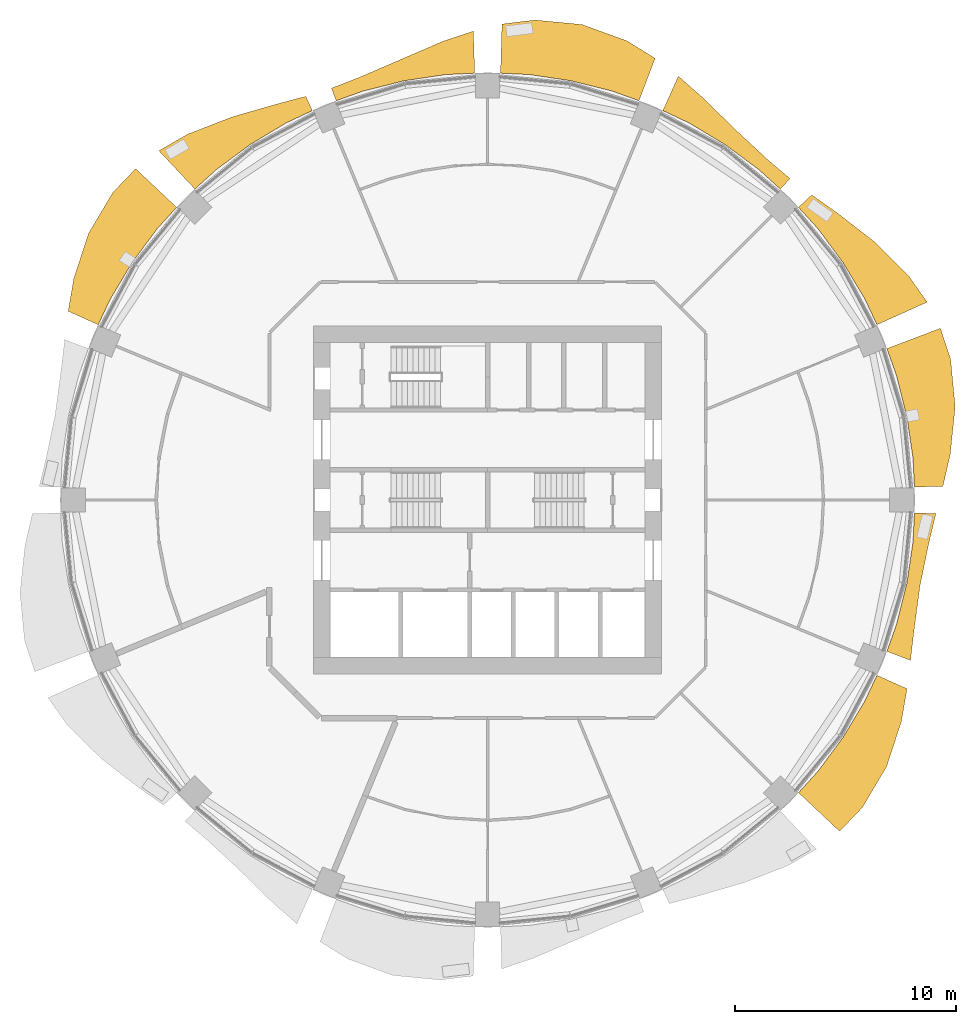
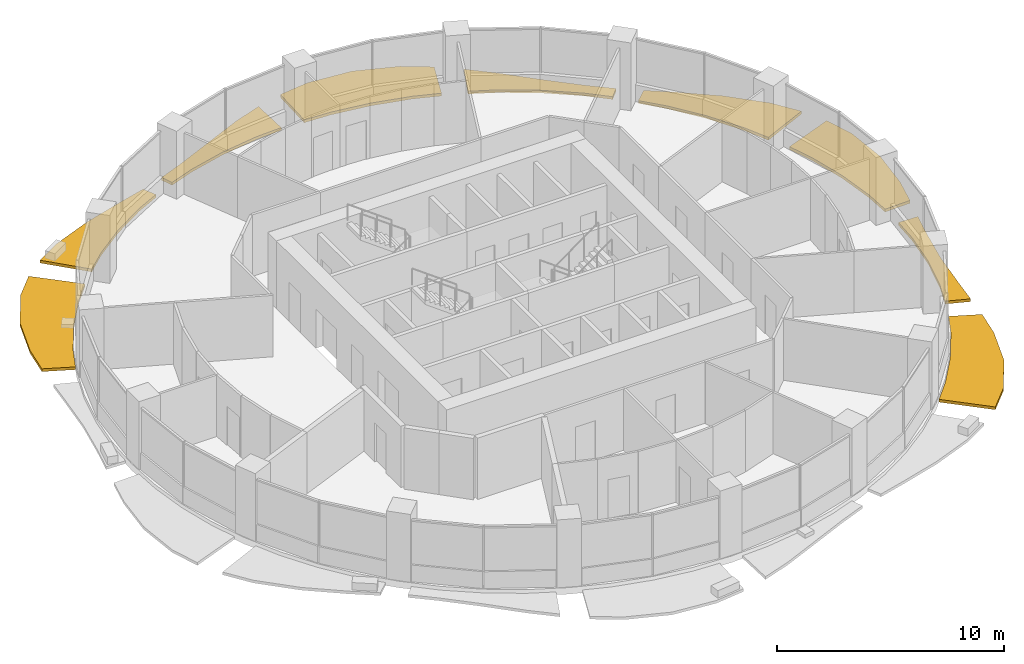
# One storey, part 14 of 15: 9 shading devices.
"""IFC4 building model written with IfcOpenShell, lengths in metres."""

import ifcopenshell
import ifcopenshell.guid

model = None  # the IFC model being written
_history = None  # IfcOwnerHistory: only IFC2X3 demands one
_inside = {}  # id of a spatial element -> (the spatial element, [elements in it])
_under = {}  # id of a project, library or spatial element -> (it, [spatial elements below it])
_declared = {}  # id of a project -> (the project, [libraries it declares])
_typed = {}  # id of a type object -> (the type object, [elements of that type])
_made_of = {}  # id of a material, layer set ... -> (it, [elements and type objects made of it])


def new_model(schema):
    """Start an empty IFC model of exactly this schema.

    Asked for "IFC4X3", IfcOpenShell would pick the latest addendum, in which some entities
    have other attributes; the version numbers below select the first issue.
    IFC2X3 requires an IfcOwnerHistory on every rooted entity: one is made here for all.
    """
    global model, _history
    if schema == "IFC4X3":
        model = ifcopenshell.file(schema_version=(4, 3, 0, 0))
    else:
        model = ifcopenshell.file(schema=schema)
    _inside.clear()
    _under.clear()
    _declared.clear()
    _typed.clear()
    _made_of.clear()
    _history = None
    if model.schema == "IFC2X3":
        org = make("IfcOrganization", Name="unknown")
        user = make(
            "IfcPersonAndOrganization",
            ThePerson=make("IfcPerson", FamilyName="unknown"),
            TheOrganization=org,
        )
        app = make(
            "IfcApplication",
            ApplicationDeveloper=org,
            Version="unknown",
            ApplicationFullName="unknown",
            ApplicationIdentifier="unknown",
        )
        _history = make(
            "IfcOwnerHistory",
            OwningUser=user,
            OwningApplication=app,
            ChangeAction="ADDED",
            CreationDate=0,
        )
    return model


def make(cls, **values):
    """One entity of the class cls with the attributes given. An attribute that is None is left unset."""
    return model.create_entity(
        cls, **{name: value for name, value in values.items() if value is not None}
    )


def rooted(cls, **values):
    """An entity with a GlobalId (a new one), such as an element, a storey or a relation."""
    return make(cls, GlobalId=ifcopenshell.guid.new(), OwnerHistory=_history, **values)


def si_unit(unit_type, name, prefix=None):
    """IfcSIUnit, for example si_unit("LENGTHUNIT", "METRE", prefix="MILLI")."""
    return make("IfcSIUnit", UnitType=unit_type, Prefix=prefix, Name=name)


def assignment(units):
    """IfcUnitAssignment: the units of a project."""
    return None if units is None else make("IfcUnitAssignment", Units=units)


def point(xyz):
    """IfcCartesianPoint."""
    return None if xyz is None else make("IfcCartesianPoint", Coordinates=xyz)


def direction(xyz):
    """IfcDirection."""
    return None if xyz is None else make("IfcDirection", DirectionRatios=xyz)


def frame(location, z_axis=None, x_axis=None):
    """IfcAxis2Placement3D, a coordinate frame: its origin and axes. An axis left out is left unset."""
    return make(
        "IfcAxis2Placement3D",
        Location=point(location),
        Axis=direction(z_axis),
        RefDirection=direction(x_axis),
    )


def origin():
    """The frame at (0, 0, 0) with its axes left unset."""
    return frame((0.0, 0.0, 0.0))


def place(relative_to, where):
    """IfcLocalPlacement: puts the frame where relative to a parent placement (None: the world)."""
    return make(
        "IfcLocalPlacement", PlacementRelTo=relative_to, RelativePlacement=where
    )


def context(
    kind, dimensions, precision=None, world=None, true_north=None, identifier=None
):
    """IfcGeometricRepresentationContext, for example the 3D "Model" context."""
    return make(
        "IfcGeometricRepresentationContext",
        ContextIdentifier=identifier,
        ContextType=kind,
        CoordinateSpaceDimension=dimensions,
        Precision=precision,
        WorldCoordinateSystem=world,
        TrueNorth=true_north,
    )


def subcontext(parent, identifier, kind, view, scale=None):
    """IfcGeometricRepresentationSubContext, for example "Body" below "Model"."""
    return make(
        "IfcGeometricRepresentationSubContext",
        ContextIdentifier=identifier,
        ContextType=kind,
        ParentContext=parent,
        TargetScale=scale,
        TargetView=view,
    )


def project(units=None, contexts=None):
    """IfcProject with its units and contexts."""
    return rooted(
        "IfcProject",
        Name="project",
        RepresentationContexts=contexts,
        UnitsInContext=assignment(units),
    )


def spatial(cls, under=None, at=None, **own):
    """A site, building, storey or space (cls), placed at a placement, below another one or the project."""
    s = rooted(cls, ObjectPlacement=at, **own)
    if under is not None:
        _under.setdefault(under.id(), (under, []))[1].append(s)
    return s


def polyline(points):
    """IfcPolyline through the points."""
    return make("IfcPolyline", Points=[point(p) for p in points])


def outline(outer, holes=None, kind="AREA"):
    """IfcArbitraryClosedProfileDef: a profile drawn as a closed curve; with holes, ...WithVoids."""
    if holes is None:
        return make("IfcArbitraryClosedProfileDef", ProfileType=kind, OuterCurve=outer)
    return make(
        "IfcArbitraryProfileDefWithVoids",
        ProfileType=kind,
        OuterCurve=outer,
        InnerCurves=holes,
    )


def extrude(swept, where, along, depth):
    """IfcExtrudedAreaSolid: the profile swept, set in the frame where, extruded along a direction by depth."""
    return make(
        "IfcExtrudedAreaSolid",
        SweptArea=swept,
        Position=where,
        ExtrudedDirection=direction(along),
        Depth=depth,
    )


def shape(context_of_items, identifier, shape_type, items):
    """IfcShapeRepresentation: the items that make up one representation, for example the "Body"."""
    return make(
        "IfcShapeRepresentation",
        ContextOfItems=context_of_items,
        RepresentationIdentifier=identifier,
        RepresentationType=shape_type,
        Items=items,
    )


def material(Name=None, Category=None):
    """IfcMaterial."""
    return make("IfcMaterial", Name=Name, Category=Category)


def made_of(thing, what):
    """Note that an element or type object is made of a material, layer set ...; save() writes the relation."""
    if what is not None:
        _made_of.setdefault(what.id(), (what, []))[1].append(thing)
    return thing


def type_object(cls, material=None, **own):
    """A type object (cls), such as IfcWallType, which elements share."""
    return made_of(rooted(cls, **own), material)


def element(
    cls,
    number,
    at=None,
    inside=None,
    cuts=None,
    type_object=None,
    material=None,
    context=None,
    identifier="Body",
    shape_type=None,
    held_by="IfcProductDefinitionShape",
    body=None,
    shapes=None,
    **own,
):
    """One element of the class cls, such as IfcWall. Its Tag is "e" and its number.

    at: its placement. inside: the storey or other place that contains it. cuts: it is an
    opening in that element (IfcRelVoidsElement). A single representation is given by context,
    identifier, shape_type and body (its items); several are given by shapes. held_by: the class
    of the entity that holds the representations. save() writes the other relations.
    """
    e = rooted(cls, Tag="e%d" % number, ObjectPlacement=at, **own)
    if body is not None:
        shapes = [shape(context, identifier, shape_type, body)]
    if shapes is not None:
        e.Representation = make(held_by, Representations=shapes)
    if inside is not None:
        _inside.setdefault(inside.id(), (inside, []))[1].append(e)
    if cuts is not None:
        rooted(
            "IfcRelVoidsElement", RelatingBuildingElement=cuts, RelatedOpeningElement=e
        )
    if type_object is not None:
        _typed.setdefault(type_object.id(), (type_object, []))[1].append(e)
    return made_of(e, material)


def aggregate(whole, parts):
    """IfcRelAggregates: a whole, such as a stair, and the parts it consists of."""
    return rooted("IfcRelAggregates", RelatingObject=whole, RelatedObjects=parts)


def save(model, path):
    """Write the relations noted so far, then the file.

    IfcRelAggregates (storeys below a building ...), IfcRelContainedInSpatialStructure (elements
    in a storey), IfcRelDefinesByType, IfcRelAssociatesMaterial and IfcRelDeclares: one each for
    every whole, place, type object, material and project.
    """
    for whole, parts in _under.values():
        aggregate(whole, parts)
    for where, things in _inside.values():
        rooted(
            "IfcRelContainedInSpatialStructure",
            RelatedElements=things,
            RelatingStructure=where,
        )
    for kind, things in _typed.values():
        rooted("IfcRelDefinesByType", RelatedObjects=things, RelatingType=kind)
    for what, things in _made_of.values():
        rooted("IfcRelAssociatesMaterial", RelatedObjects=things, RelatingMaterial=what)
    for by, libraries in _declared.values():
        rooted("IfcRelDeclares", RelatingContext=by, RelatedDefinitions=libraries)
    model.write(path)


model = new_model("IFC4")

# Units and contexts
model_context = context("Model", 3, precision=1e-05, world=origin(), true_north=direction((0.0, 1.0)))
body_context = subcontext(model_context, "Body", "Model", "MODEL_VIEW")
ifc_project = project(units=[si_unit("LENGTHUNIT", "METRE"), si_unit("AREAUNIT", "SQUARE_METRE"), si_unit("VOLUMEUNIT", "CUBIC_METRE"), si_unit("PLANEANGLEUNIT", "RADIAN"), si_unit("MASSUNIT", "GRAM", prefix="KILO")], contexts=[model_context])

# Site, building, storey
site_placement = place(None, origin())
site = spatial("IfcSite", under=ifc_project, at=site_placement, CompositionType="ELEMENT")
building_placement = place(site_placement, origin())
building = spatial("IfcBuilding", under=site, at=building_placement, Name="Polderwave Tower", CompositionType="ELEMENT")
storey_placement = place(building_placement, frame((0.0, 0.0, 87.35009765625)))
storey = spatial("IfcBuildingStorey", under=building, at=storey_placement, Name="L22", CompositionType="ELEMENT", Elevation=87.35009765625)

# Shading devices
ifc_material = material(Name="Terracotta", Category="masonry")
shading_device_type = type_object("IfcShadingDeviceType", Name="Terracotta sunshade band", PredefinedType="USERDEFINED", material=ifc_material)
shading_device_1_placement = place(storey_placement, frame((0.0, 0.0, -0.35009765625)))
element("IfcShadingDevice", 1, at=shading_device_1_placement, inside=storey, type_object=shading_device_type, Name="Sunshade band L22 1", ObjectType="SUNSHADE", PredefinedType="USERDEFINED", context=body_context, shape_type="SweptSolid", body=[
    extrude(outline(polyline([(19.3212890625, 0.583984375), (19.2568359375, 1.896484375), (18.978271484375, 3.77490234375), (18.516845703125, 5.616943359375), (18.073974609375, 6.8544921875), (20.49951171875, 7.7744140625), (20.962646484375, 6.35888671875), (21.1669921875, 4.21044921875), (20.943115234375, 2.062744140625), (20.612548828125, 0.622802734375), (19.3212890625, 0.583984375)])), origin(), (0.0, 0.0, 1.0), 0.14990234375),
])
shading_device_2_placement = place(storey_placement, frame((0.0, 0.0, -0.35009765625)))
element("IfcShadingDevice", 2, at=shading_device_2_placement, inside=storey, type_object=shading_device_type, Name="Sunshade band L22 2", ObjectType="SUNSHADE", PredefinedType="USERDEFINED", context=body_context, shape_type="SweptSolid", body=[
    extrude(outline(polyline([(17.627197265625, 7.933349609375), (17.065185546875, 9.12158203125), (16.0888671875, 10.750244140625), (14.957763671875, 12.275390625), (14.0751953125, 13.24951171875), (14.672119140625, 13.811279296875), (15.83251953125, 12.993408203125), (17.503662109375, 11.695556640625), (19.0380859375, 10.176025390625), (19.898193359375, 8.95556640625), (17.627197265625, 7.933349609375)])), origin(), (0.0, 0.0, 1.0), 0.14990234375),
])
shading_device_3_placement = place(storey_placement, frame((0.0, 0.0, -0.35009765625)))
element("IfcShadingDevice", 3, at=shading_device_3_placement, inside=storey, type_object=shading_device_type, Name="Sunshade band L22 3", ObjectType="SUNSHADE", PredefinedType="USERDEFINED", context=body_context, shape_type="SweptSolid", body=[
    extrude(outline(polyline([(13.24951171875, 14.0751953125), (12.275390625, 14.957763671875), (10.750244140625, 16.0888671875), (9.12158203125, 17.065185546875), (7.933349609375, 17.627197265625), (8.635009765625, 19.18603515625), (9.7373046875, 18.21728515625), (11.20849609375, 16.774658203125), (12.658935546875, 15.425048828125), (13.694091796875, 14.54736328125), (13.24951171875, 14.0751953125)])), origin(), (0.0, 0.0, 1.0), 0.14990234375),
])
shading_device_4_placement = place(storey_placement, frame((0.0, 0.0, -0.35009765625)))
element("IfcShadingDevice", 4, at=shading_device_4_placement, inside=storey, type_object=shading_device_type, Name="Sunshade band L22 4", ObjectType="SUNSHADE", PredefinedType="USERDEFINED", context=body_context, shape_type="SweptSolid", body=[
    extrude(outline(polyline([(6.8544921875, 18.073974609375), (5.616943359375, 18.516845703125), (3.77490234375, 18.978271484375), (1.896484375, 19.2568359375), (0.583984375, 19.3212890625), (0.651123046875, 21.545654296875), (2.14013671875, 21.728515625), (4.28125, 21.523193359375), (6.30517578125, 20.785400390625), (7.583251953125, 19.995361328125), (6.8544921875, 18.073974609375)])), origin(), (0.0, 0.0, 1.0), 0.14990234375),
])
shading_device_5_placement = place(storey_placement, frame((0.0, 0.0, -0.35009765625)))
element("IfcShadingDevice", 5, at=shading_device_5_placement, inside=storey, type_object=shading_device_type, Name="Sunshade band L22 5", ObjectType="SUNSHADE", PredefinedType="USERDEFINED", context=body_context, shape_type="SweptSolid", body=[
    extrude(outline(polyline([(-0.583984375, 19.3212890625), (-1.896484375, 19.2568359375), (-3.77490234375, 18.978271484375), (-5.616943359375, 18.516845703125), (-6.8544921875, 18.073974609375), (-7.0693359375, 18.640625), (-5.803955078125, 19.13330078125), (-3.9638671875, 19.927978515625), (-2.044189453125, 20.755126953125), (-0.6416015625, 21.228515625), (-0.583984375, 19.3212890625)])), origin(), (0.0, 0.0, 1.0), 0.14990234375),
])
shading_device_6_placement = place(storey_placement, frame((0.0, 0.0, -0.35009765625)))
element("IfcShadingDevice", 6, at=shading_device_6_placement, inside=storey, type_object=shading_device_type, Name="Sunshade band L22 6", ObjectType="SUNSHADE", PredefinedType="USERDEFINED", context=body_context, shape_type="SweptSolid", body=[
    extrude(outline(polyline([(-7.933349609375, 17.627197265625), (-9.12158203125, 17.065185546875), (-10.750244140625, 16.0888671875), (-12.275390625, 14.957763671875), (-13.24951171875, 14.0751953125), (-14.880859375, 15.808349609375), (-13.587646484375, 16.556396484375), (-11.582763671875, 17.334716796875), (-9.575439453125, 17.914306640625), (-8.224609375, 18.274169921875), (-7.933349609375, 17.627197265625)])), origin(), (0.0, 0.0, 1.0), 0.14990234375),
])
shading_device_7_placement = place(storey_placement, frame((0.0, 0.0, -0.35009765625)))
element("IfcShadingDevice", 7, at=shading_device_7_placement, inside=storey, type_object=shading_device_type, Name="Sunshade band L22 7", ObjectType="SUNSHADE", PredefinedType="USERDEFINED", context=body_context, shape_type="SweptSolid", body=[
    extrude(outline(polyline([(-14.0751953125, 13.24951171875), (-14.957763671875, 12.275390625), (-16.0888671875, 10.750244140625), (-17.065185546875, 9.12158203125), (-17.627197265625, 7.933349609375), (-18.986328125, 8.545166015625), (-18.7353515625, 10.01416015625), (-18.06396484375, 12.06982421875), (-16.964111328125, 13.922119140625), (-15.932861328125, 14.998046875), (-14.0751953125, 13.24951171875)])), origin(), (0.0, 0.0, 1.0), 0.14990234375),
])
shading_device_8_placement = place(storey_placement, frame((0.0, 0.0, -0.35009765625)))
element("IfcShadingDevice", 8, at=shading_device_8_placement, inside=storey, type_object=shading_device_type, Name="Sunshade band L22 15", ObjectType="SUNSHADE", PredefinedType="USERDEFINED", context=body_context, shape_type="SweptSolid", body=[
    extrude(outline(polyline([(14.0751953125, -13.24951171875), (14.957763671875, -12.275390625), (16.0888671875, -10.750244140625), (17.065185546875, -9.12158203125), (17.627197265625, -7.933349609375), (18.986328125, -8.545166015625), (18.7353515625, -10.01416015625), (18.06396484375, -12.06982421875), (16.964111328125, -13.922119140625), (15.932861328125, -14.998046875), (14.0751953125, -13.24951171875)])), origin(), (0.0, 0.0, 1.0), 0.14990234375),
])
shading_device_9_placement = place(storey_placement, frame((0.0, 0.0, -0.35009765625)))
element("IfcShadingDevice", 9, at=shading_device_9_placement, inside=storey, type_object=shading_device_type, Name="Sunshade band L22 16", ObjectType="SUNSHADE", PredefinedType="USERDEFINED", context=body_context, shape_type="SweptSolid", body=[
    extrude(outline(polyline([(18.073974609375, -6.8544921875), (18.516845703125, -5.616943359375), (18.978271484375, -3.77490234375), (19.2568359375, -1.896484375), (19.3212890625, -0.583984375), (20.29541015625, -0.61328125), (19.9697265625, -1.966796875), (19.57177734375, -3.89306640625), (19.310302734375, -5.857666015625), (19.144775390625, -7.260498046875), (18.073974609375, -6.8544921875)])), origin(), (0.0, 0.0, 1.0), 0.14990234375),
])

save(model, "model.ifc")
